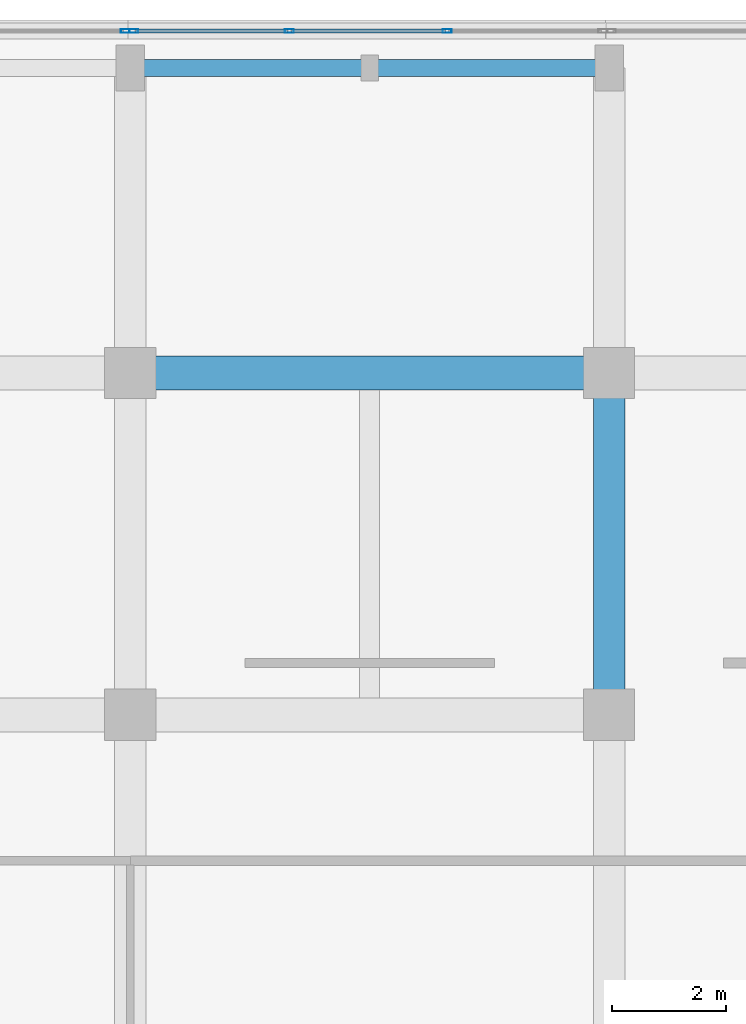
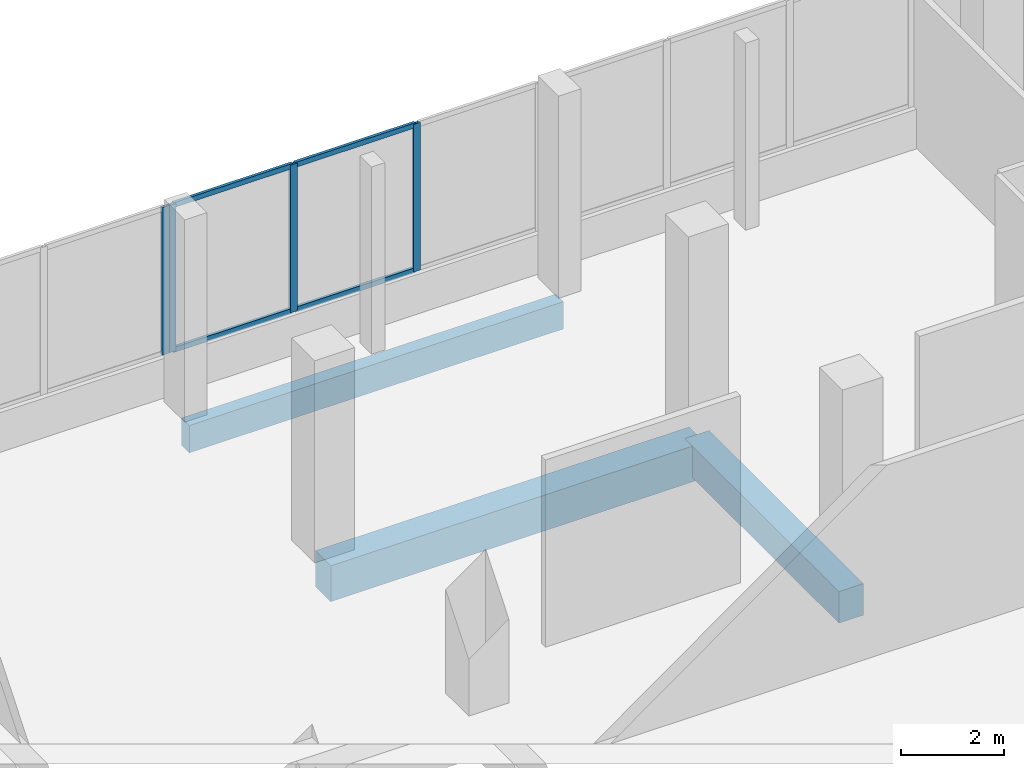
# One storey, part 79 of 168: 8 members, 3 beams, 2 elements without a shape of their own.
"""IFC4 building model written with IfcOpenShell, lengths in metres."""

from ifc_helpers import new_model, si_unit, direction, frame, origin, origin_2d, place, context, subcontext, project, spatial, rectangle, hollow_rectangle, extrude, material, material_profile, profile_set, type_object, element, aggregate, save


model = new_model("IFC4")

# Units and contexts
model_context = context("Model", 3, precision=1e-05, world=origin(), true_north=direction((0.0, 1.0)))
body_context = subcontext(model_context, "Body", "Model", "MODEL_VIEW")
ifc_project = project(units=[si_unit("LENGTHUNIT", "METRE"), si_unit("AREAUNIT", "SQUARE_METRE"), si_unit("VOLUMEUNIT", "CUBIC_METRE"), si_unit("PLANEANGLEUNIT", "RADIAN"), si_unit("MASSUNIT", "GRAM", prefix="KILO")], contexts=[model_context])

# Site, building, storey
site_placement = place(None, origin())
site = spatial("IfcSite", under=ifc_project, at=site_placement, CompositionType="ELEMENT")
building_placement = place(site_placement, origin())
building = spatial("IfcBuilding", under=site, at=building_placement, Name="Selatvlak General Hospital", CompositionType="ELEMENT")
storey_placement = place(building_placement, frame((0.0, 0.0, 5.39990234375)))
storey = spatial("IfcBuildingStorey", under=building, at=storey_placement, Name="L01", CompositionType="ELEMENT", Elevation=5.39990234375)

# Beams
ifc_material_1 = material(Name="Concrete C40/50", Category="concrete")
ifc_material_profile_1 = material_profile(ifc_material_1, rectangle(XDim=0.60009765625, YDim=0.85009765625, at=origin_2d()), Name="RC-BM 600x850")
ifc_profile_set_1 = profile_set([ifc_material_profile_1], Name="Concrete C40/50")
beam_type_1 = type_object("IfcBeamType", Name="BM-G01", PredefinedType="BEAM", material=ifc_profile_set_1)
beam_1_placement = place(storey_placement, frame((31.199951171875, 114.0, -0.744873046875), z_axis=(1.0, 0.0, 0.0), x_axis=(0.0, 1.0, 0.0)))
element("IfcBeam", 1, at=beam_1_placement, inside=storey, type_object=beam_type_1, Name="Beam BMR-L01-0512", PredefinedType="BEAM", context=body_context, shape_type="SweptSolid", body=[
    extrude(rectangle(XDim=0.60009765625, YDim=0.85009765625, at=origin_2d()), origin(), (0.0, 0.0, 1.0), 8.400146484375),
])
ifc_material_profile_2 = material_profile(ifc_material_1, rectangle(XDim=0.550048828125, YDim=0.75, at=origin_2d()), Name="RC-BM 550x750")
ifc_profile_set_2 = profile_set([ifc_material_profile_2], Name="Concrete C40/50")
beam_type_2 = type_object("IfcBeamType", Name="BM-G02", PredefinedType="BEAM", material=ifc_profile_set_2)
beam_2_placement = place(storey_placement, frame((39.60009765625, 108.0, -0.69482421875), z_axis=(0.0, 1.0, 0.0), x_axis=(-1.0, 0.0, 0.0)))
element("IfcBeam", 2, at=beam_2_placement, inside=storey, type_object=beam_type_2, Name="Beam BMR-L01-0565", PredefinedType="BEAM", context=body_context, shape_type="SweptSolid", body=[
    extrude(rectangle(XDim=0.550048828125, YDim=0.75, at=origin_2d()), origin(), (0.0, 0.0, 1.0), 6.0),
])
ifc_material_profile_3 = material_profile(ifc_material_1, rectangle(XDim=0.300048828125, YDim=0.64990234375, at=origin_2d()), Name="RC-SP 300x650")
ifc_profile_set_3 = profile_set([ifc_material_profile_3], Name="Concrete C40/50")
beam_type_3 = type_object("IfcBeamType", Name="BM-SP1", PredefinedType="SPANDREL", material=ifc_profile_set_3)
beam_3_placement = place(storey_placement, frame((31.199951171875, 119.35009765625, -0.64501953125), z_axis=(1.0, 0.0, 0.0), x_axis=(0.0, 1.0, 0.0)))
element("IfcBeam", 3, at=beam_3_placement, inside=storey, type_object=beam_type_3, Name="Beam BMR-L01-0527", PredefinedType="SPANDREL", context=body_context, shape_type="SweptSolid", body=[
    extrude(rectangle(XDim=0.300048828125, YDim=0.64990234375, at=origin_2d()), origin(), (0.0, 0.0, 1.0), 8.400146484375),
])

# Curtain wall, member
ifc_material_2 = material(Name="Solar-control Low-E double glazing", Category="glass")
curtain_wall_type_1 = type_object("IfcCurtainWallType", Name="CW-CW-02", PredefinedType="USERDEFINED", material=ifc_material_2)
curtain_wall_1_placement = place(storey_placement, origin())
curtain_wall_1 = element("IfcCurtainWall", 4, at=curtain_wall_1_placement, inside=storey, type_object=curtain_wall_type_1, Name="Glazed facade curtain wall CW-L01-0113", ObjectType="UNITISED CURTAIN WALL", PredefinedType="USERDEFINED")
ifc_material_3 = material(Name="Dark anodised aluminium mullion", Category="aluminium")
ifc_material_profile_4 = material_profile(ifc_material_3, hollow_rectangle(XDim=0.06494140625, YDim=0.159912109375, WallThickness=0.00390625, at=origin_2d()), Name="AL-MUL 65x160x4")
ifc_profile_set_4 = profile_set([ifc_material_profile_4], Name="Dark anodised aluminium mullion")
member_type_1 = type_object("IfcMemberType", Name="CWM-01", PredefinedType="MULLION", material=ifc_profile_set_4)
member_1_placement = place(storey_placement, frame((31.112548828125, 119.9990234375, 0.940185546875), z_axis=(0.0, 0.0, 1.0), x_axis=(0.0, 1.0, 0.0)))
member_1 = element("IfcMember", 5, at=member_1_placement, type_object=member_type_1, Name="CW-02 mullion 4", PredefinedType="MULLION", context=body_context, shape_type="SweptSolid", body=[
    extrude(hollow_rectangle(XDim=0.06494140625, YDim=0.159912109375, WallThickness=0.00390625, at=origin_2d()), origin(), (0.0, 0.0, 1.0), 3.5048828125),
])
aggregate(curtain_wall_1, [member_1])

# Curtain wall, members
curtain_wall_type_2 = type_object("IfcCurtainWallType", Name="CW-CW-01", PredefinedType="USERDEFINED", material=ifc_material_2)
curtain_wall_2_placement = place(storey_placement, origin())
curtain_wall_2 = element("IfcCurtainWall", 6, at=curtain_wall_2_placement, inside=storey, type_object=curtain_wall_type_2, Name="Glazed facade curtain wall CW-L01-0114", ObjectType="UNITISED CURTAIN WALL", PredefinedType="USERDEFINED")
member_2_placement = place(storey_placement, frame((31.257568359375, 119.9990234375, 0.940185546875), z_axis=(0.0, 0.0, 1.0), x_axis=(0.0, 1.0, 0.0)))
member_2 = element("IfcMember", 7, at=member_2_placement, type_object=member_type_1, Name="CW-01 mullion 1", PredefinedType="MULLION", context=body_context, shape_type="SweptSolid", body=[
    extrude(hollow_rectangle(XDim=0.06494140625, YDim=0.159912109375, WallThickness=0.00390625, at=origin_2d()), origin(), (0.0, 0.0, 1.0), 3.5048828125),
])
member_3_placement = place(storey_placement, frame((33.99169921875, 119.9990234375, 0.940185546875), z_axis=(0.0, 0.0, 1.0), x_axis=(0.0, 1.0, 0.0)))
member_3 = element("IfcMember", 8, at=member_3_placement, type_object=member_type_1, Name="CW-01 mullion 2", PredefinedType="MULLION", context=body_context, shape_type="SweptSolid", body=[
    extrude(hollow_rectangle(XDim=0.06494140625, YDim=0.159912109375, WallThickness=0.00390625, at=origin_2d()), origin(), (0.0, 0.0, 1.0), 3.5048828125),
])
member_4_placement = place(storey_placement, frame((36.75830078125, 119.9990234375, 0.940185546875), z_axis=(0.0, 0.0, 1.0), x_axis=(0.0, 1.0, 0.0)))
member_4 = element("IfcMember", 9, at=member_4_placement, type_object=member_type_1, Name="CW-01 mullion 3", PredefinedType="MULLION", context=body_context, shape_type="SweptSolid", body=[
    extrude(hollow_rectangle(XDim=0.06494140625, YDim=0.159912109375, WallThickness=0.00390625, at=origin_2d()), origin(), (0.0, 0.0, 1.0), 3.5048828125),
])
ifc_material_profile_5 = material_profile(ifc_material_3, hollow_rectangle(XDim=0.06494140625, YDim=0.1201171875, WallThickness=0.00390625, at=origin_2d()), Name="AL-TRN 65x120x4")
ifc_profile_set_5 = profile_set([ifc_material_profile_5], Name="Dark anodised aluminium mullion")
member_type_2 = type_object("IfcMemberType", Name="CWT-01", PredefinedType="USERDEFINED", material=ifc_profile_set_5)
member_5_placement = place(storey_placement, frame((31.2900390625, 119.9990234375, 0.97265625), z_axis=(1.0, 0.0, 0.0), x_axis=(0.0, 1.0, 0.0)))
member_5 = element("IfcMember", 10, at=member_5_placement, type_object=member_type_2, Name="CW-01 transom 1.1", ObjectType="TRANSOM", PredefinedType="USERDEFINED", context=body_context, shape_type="SweptSolid", body=[
    extrude(hollow_rectangle(XDim=0.06494140625, YDim=0.1201171875, WallThickness=0.00390625, at=origin_2d()), origin(), (0.0, 0.0, 1.0), 2.669189453125),
])
member_6_placement = place(storey_placement, frame((31.2900390625, 119.9990234375, 4.41259765625), z_axis=(1.0, 0.0, 0.0), x_axis=(0.0, 1.0, 0.0)))
member_6 = element("IfcMember", 11, at=member_6_placement, type_object=member_type_2, Name="CW-01 transom 1.2", ObjectType="TRANSOM", PredefinedType="USERDEFINED", context=body_context, shape_type="SweptSolid", body=[
    extrude(hollow_rectangle(XDim=0.06494140625, YDim=0.1201171875, WallThickness=0.00390625, at=origin_2d()), origin(), (0.0, 0.0, 1.0), 2.669189453125),
])
member_7_placement = place(storey_placement, frame((34.024169921875, 119.9990234375, 0.97265625), z_axis=(1.0, 0.0, 0.0), x_axis=(0.0, 1.0, 0.0)))
member_7 = element("IfcMember", 12, at=member_7_placement, type_object=member_type_2, Name="CW-01 transom 2.1", ObjectType="TRANSOM", PredefinedType="USERDEFINED", context=body_context, shape_type="SweptSolid", body=[
    extrude(hollow_rectangle(XDim=0.06494140625, YDim=0.1201171875, WallThickness=0.00390625, at=origin_2d()), origin(), (0.0, 0.0, 1.0), 2.70166015625),
])
member_8_placement = place(storey_placement, frame((34.024169921875, 119.9990234375, 4.41259765625), z_axis=(1.0, 0.0, 0.0), x_axis=(0.0, 1.0, 0.0)))
member_8 = element("IfcMember", 13, at=member_8_placement, type_object=member_type_2, Name="CW-01 transom 2.2", ObjectType="TRANSOM", PredefinedType="USERDEFINED", context=body_context, shape_type="SweptSolid", body=[
    extrude(hollow_rectangle(XDim=0.06494140625, YDim=0.1201171875, WallThickness=0.00390625, at=origin_2d()), origin(), (0.0, 0.0, 1.0), 2.70166015625),
])
aggregate(curtain_wall_2, [member_2, member_3, member_4, member_5, member_6, member_7, member_8])

save(model, "model.ifc")
